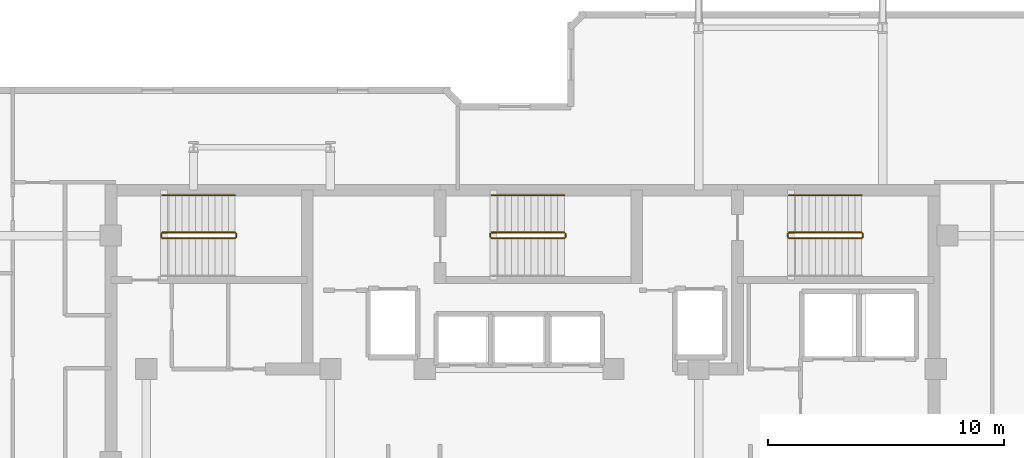
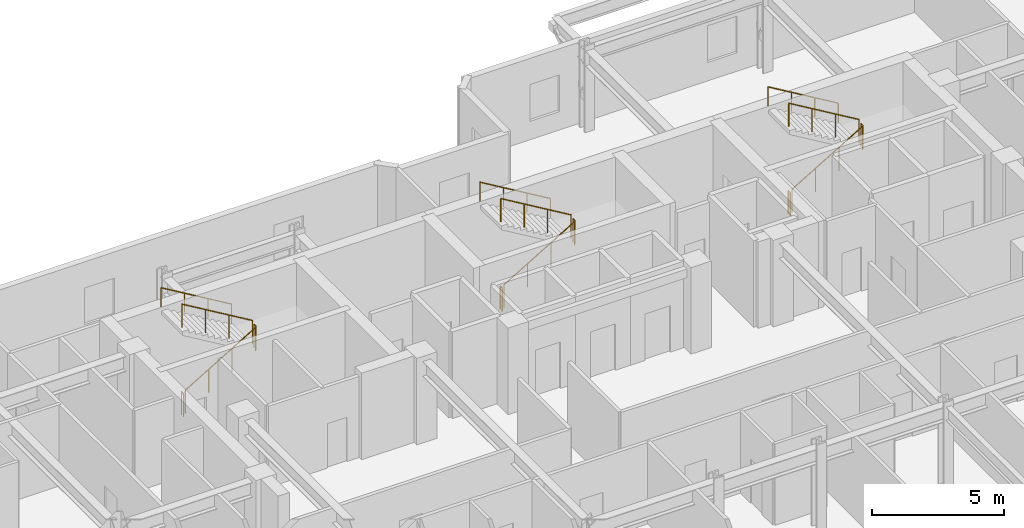
# One storey, part 10 of 10: 15 railings.
"""IFC4 building model written with IfcOpenShell, lengths in metres."""

from ifc_helpers import new_model, si_unit, direction, frame, origin, origin_2d, place, context, subcontext, project, spatial, circle, extrude, material, type_object, element, save


model = new_model("IFC4")

# Units and contexts
model_context = context("Model", 3, precision=1e-05, world=origin(), true_north=direction((0.0, 1.0)))
body_context = subcontext(model_context, "Body", "Model", "MODEL_VIEW")
ifc_project = project(units=[si_unit("LENGTHUNIT", "METRE"), si_unit("AREAUNIT", "SQUARE_METRE"), si_unit("VOLUMEUNIT", "CUBIC_METRE"), si_unit("PLANEANGLEUNIT", "RADIAN"), si_unit("MASSUNIT", "GRAM", prefix="KILO")], contexts=[model_context])

# Site, building, storey
site_placement = place(None, origin())
site = spatial("IfcSite", under=ifc_project, at=site_placement, CompositionType="ELEMENT")
building_placement = place(site_placement, origin())
building = spatial("IfcBuilding", under=site, at=building_placement, Name="Kestravale Grand Hotel", CompositionType="ELEMENT")
storey_placement = place(building_placement, frame((0.0, 0.0, 253.39990234375)))
storey = spatial("IfcBuildingStorey", under=building, at=storey_placement, Name="L63", CompositionType="ELEMENT", Elevation=253.39990234375)

# Railings
ifc_material_1 = material(Name="Painted tubular steel stair well guard", Category="steel")
railing_type_1 = type_object("IfcRailingType", Name="RL-ST-GRD1100", PredefinedType="GUARDRAIL", material=ifc_material_1)
railing_1_placement = place(storey_placement, frame((24.080078125, 38.280029296875, 0.166748046875)))
element("IfcRailing", 1, at=railing_1_placement, inside=storey, type_object=railing_type_1, Name="L63 ST-1 stair guard 1", PredefinedType="GUARDRAIL", context=body_context, shape_type="SweptSolid", body=[
    extrude(circle(Radius=0.02392578125, at=origin_2d()), frame((0.0, 0.0, 1.076171875), z_axis=(0.859290745958, 0.0, 0.51148745235), x_axis=(0.0, 1.0, 0.0)), (0.0, 0.0, 1.0), 3.584228515625),
    extrude(circle(Radius=0.02099609375, at=origin_2d()), origin(), (0.0, 0.0, 1.0), 1.052001953125),
    extrude(circle(Radius=0.02099609375, at=origin_2d()), frame((1.026611328125, 0.0, 0.611083984375)), (0.0, 0.0, 1.0), 1.052001953125),
    extrude(circle(Radius=0.02099609375, at=origin_2d()), frame((2.05322265625, 0.0, 1.22216796875)), (0.0, 0.0, 1.0), 1.052001953125),
    extrude(circle(Radius=0.02099609375, at=origin_2d()), frame((3.079833984375, 0.0, 1.833251953125)), (0.0, 0.0, 1.0), 1.052001953125),
])
railing_2_placement = place(storey_placement, frame((27.2099609375, 38.330078125, 2.0)))
element("IfcRailing", 2, at=railing_2_placement, inside=storey, type_object=railing_type_1, Name="L63 ST-1 stair guard 2", PredefinedType="GUARDRAIL", context=body_context, shape_type="SweptSolid", body=[
    extrude(circle(Radius=0.02392578125, at=origin_2d()), frame((0.0, 0.0, 1.076171875), z_axis=(0.0, 1.0, 0.0), x_axis=(-1.0, 0.0, 0.0)), (0.0, 0.0, 1.0), 0.14990234375),
    extrude(circle(Radius=0.02099609375, at=origin_2d()), origin(), (0.0, 0.0, 1.0), 1.052001953125),
    extrude(circle(Radius=0.02099609375, at=origin_2d()), frame((0.0, 0.14990234375, 0.0)), (0.0, 0.0, 1.0), 1.052001953125),
])
railing_3_placement = place(storey_placement, frame((27.159912109375, 38.530029296875, 2.166748046875)))
element("IfcRailing", 3, at=railing_3_placement, inside=storey, type_object=railing_type_1, Name="L63 ST-1 stair guard 3", PredefinedType="GUARDRAIL", context=body_context, shape_type="SweptSolid", body=[
    extrude(circle(Radius=0.02392578125, at=origin_2d()), frame((0.0, 0.0, 1.076171875), z_axis=(-0.859290745958, 0.0, 0.51148745235), x_axis=(0.0, -1.0, 0.0)), (0.0, 0.0, 1.0), 3.584228515625),
    extrude(circle(Radius=0.02099609375, at=origin_2d()), origin(), (0.0, 0.0, 1.0), 1.052001953125),
    extrude(circle(Radius=0.02099609375, at=origin_2d()), frame((-1.026611328125, 0.0, 0.611083984375)), (0.0, 0.0, 1.0), 1.052001953125),
    extrude(circle(Radius=0.02099609375, at=origin_2d()), frame((-2.05322265625, 0.0, 1.22216796875)), (0.0, 0.0, 1.0), 1.052001953125),
    extrude(circle(Radius=0.02099609375, at=origin_2d()), frame((-3.079833984375, 0.0, 1.833251953125)), (0.0, 0.0, 1.0), 1.052001953125),
])
railing_4_placement = place(storey_placement, frame((24.030029296875, 38.330078125, 0.0)))
element("IfcRailing", 4, at=railing_4_placement, inside=storey, type_object=railing_type_1, Name="L63 ST-1 stair guard 4", PredefinedType="GUARDRAIL", context=body_context, shape_type="SweptSolid", body=[
    extrude(circle(Radius=0.02392578125, at=origin_2d()), frame((0.0, 0.0, 1.076171875), z_axis=(0.0, 1.0, 0.0), x_axis=(-1.0, 0.0, 0.0)), (0.0, 0.0, 1.0), 0.14990234375),
    extrude(circle(Radius=0.02099609375, at=origin_2d()), origin(), (0.0, 0.0, 1.0), 1.052001953125),
    extrude(circle(Radius=0.02099609375, at=origin_2d()), frame((0.0, 0.14990234375, 0.0)), (0.0, 0.0, 1.0), 1.052001953125),
])
railing_5_placement = place(storey_placement, frame((38.030029296875, 38.280029296875, 0.166748046875)))
element("IfcRailing", 5, at=railing_5_placement, inside=storey, type_object=railing_type_1, Name="L63 ST-2 stair guard 1", PredefinedType="GUARDRAIL", context=body_context, shape_type="SweptSolid", body=[
    extrude(circle(Radius=0.02392578125, at=origin_2d()), frame((0.0, 0.0, 1.076171875), z_axis=(0.859308565015, 0.0, 0.511457515432), x_axis=(0.0, 1.0, 0.0)), (0.0, 0.0, 1.0), 3.58447265625),
    extrude(circle(Radius=0.02099609375, at=origin_2d()), origin(), (0.0, 0.0, 1.0), 1.052001953125),
    extrude(circle(Radius=0.02099609375, at=origin_2d()), frame((1.026611328125, 0.0, 0.611083984375)), (0.0, 0.0, 1.0), 1.052001953125),
    extrude(circle(Radius=0.02099609375, at=origin_2d()), frame((2.053466796875, 0.0, 1.22216796875)), (0.0, 0.0, 1.0), 1.052001953125),
    extrude(circle(Radius=0.02099609375, at=origin_2d()), frame((3.080078125, 0.0, 1.833251953125)), (0.0, 0.0, 1.0), 1.052001953125),
])
railing_6_placement = place(storey_placement, frame((41.159912109375, 38.330078125, 2.0)))
element("IfcRailing", 6, at=railing_6_placement, inside=storey, type_object=railing_type_1, Name="L63 ST-2 stair guard 2", PredefinedType="GUARDRAIL", context=body_context, shape_type="SweptSolid", body=[
    extrude(circle(Radius=0.02392578125, at=origin_2d()), frame((0.0, 0.0, 1.076171875), z_axis=(0.0, 1.0, 0.0), x_axis=(-1.0, 0.0, 0.0)), (0.0, 0.0, 1.0), 0.14990234375),
    extrude(circle(Radius=0.02099609375, at=origin_2d()), origin(), (0.0, 0.0, 1.0), 1.052001953125),
    extrude(circle(Radius=0.02099609375, at=origin_2d()), frame((0.0, 0.14990234375, 0.0)), (0.0, 0.0, 1.0), 1.052001953125),
])
railing_7_placement = place(storey_placement, frame((41.110107421875, 38.530029296875, 2.166748046875)))
element("IfcRailing", 7, at=railing_7_placement, inside=storey, type_object=railing_type_1, Name="L63 ST-2 stair guard 3", PredefinedType="GUARDRAIL", context=body_context, shape_type="SweptSolid", body=[
    extrude(circle(Radius=0.02392578125, at=origin_2d()), frame((0.0, 0.0, 1.076171875), z_axis=(-0.859308565015, 0.0, 0.511457515432), x_axis=(0.0, -1.0, 0.0)), (0.0, 0.0, 1.0), 3.58447265625),
    extrude(circle(Radius=0.02099609375, at=origin_2d()), origin(), (0.0, 0.0, 1.0), 1.052001953125),
    extrude(circle(Radius=0.02099609375, at=origin_2d()), frame((-1.026611328125, 0.0, 0.611083984375)), (0.0, 0.0, 1.0), 1.052001953125),
    extrude(circle(Radius=0.02099609375, at=origin_2d()), frame((-2.053466796875, 0.0, 1.22216796875)), (0.0, 0.0, 1.0), 1.052001953125),
    extrude(circle(Radius=0.02099609375, at=origin_2d()), frame((-3.080078125, 0.0, 1.833251953125)), (0.0, 0.0, 1.0), 1.052001953125),
])
railing_8_placement = place(storey_placement, frame((37.97998046875, 38.330078125, 0.0)))
element("IfcRailing", 8, at=railing_8_placement, inside=storey, type_object=railing_type_1, Name="L63 ST-2 stair guard 4", PredefinedType="GUARDRAIL", context=body_context, shape_type="SweptSolid", body=[
    extrude(circle(Radius=0.02392578125, at=origin_2d()), frame((0.0, 0.0, 1.076171875), z_axis=(0.0, 1.0, 0.0), x_axis=(-1.0, 0.0, 0.0)), (0.0, 0.0, 1.0), 0.14990234375),
    extrude(circle(Radius=0.02099609375, at=origin_2d()), origin(), (0.0, 0.0, 1.0), 1.052001953125),
    extrude(circle(Radius=0.02099609375, at=origin_2d()), frame((0.0, 0.14990234375, 0.0)), (0.0, 0.0, 1.0), 1.052001953125),
])
railing_9_placement = place(storey_placement, frame((50.6298828125, 38.280029296875, 0.166748046875)))
element("IfcRailing", 9, at=railing_9_placement, inside=storey, type_object=railing_type_1, Name="L63 ST-3 stair guard 1", PredefinedType="GUARDRAIL", context=body_context, shape_type="SweptSolid", body=[
    extrude(circle(Radius=0.02392578125, at=origin_2d()), frame((0.0, 0.0, 1.076171875), z_axis=(0.859308565015, 0.0, 0.511457515432), x_axis=(0.0, 1.0, 0.0)), (0.0, 0.0, 1.0), 3.58447265625),
    extrude(circle(Radius=0.02099609375, at=origin_2d()), origin(), (0.0, 0.0, 1.0), 1.052001953125),
    extrude(circle(Radius=0.02099609375, at=origin_2d()), frame((1.026611328125, 0.0, 0.611083984375)), (0.0, 0.0, 1.0), 1.052001953125),
    extrude(circle(Radius=0.02099609375, at=origin_2d()), frame((2.053466796875, 0.0, 1.22216796875)), (0.0, 0.0, 1.0), 1.052001953125),
    extrude(circle(Radius=0.02099609375, at=origin_2d()), frame((3.080078125, 0.0, 1.833251953125)), (0.0, 0.0, 1.0), 1.052001953125),
])
railing_10_placement = place(storey_placement, frame((53.760009765625, 38.330078125, 2.0)))
element("IfcRailing", 10, at=railing_10_placement, inside=storey, type_object=railing_type_1, Name="L63 ST-3 stair guard 2", PredefinedType="GUARDRAIL", context=body_context, shape_type="SweptSolid", body=[
    extrude(circle(Radius=0.02392578125, at=origin_2d()), frame((0.0, 0.0, 1.076171875), z_axis=(0.0, 1.0, 0.0), x_axis=(-1.0, 0.0, 0.0)), (0.0, 0.0, 1.0), 0.14990234375),
    extrude(circle(Radius=0.02099609375, at=origin_2d()), origin(), (0.0, 0.0, 1.0), 1.052001953125),
    extrude(circle(Radius=0.02099609375, at=origin_2d()), frame((0.0, 0.14990234375, 0.0)), (0.0, 0.0, 1.0), 1.052001953125),
])
railing_11_placement = place(storey_placement, frame((53.7099609375, 38.530029296875, 2.166748046875)))
element("IfcRailing", 11, at=railing_11_placement, inside=storey, type_object=railing_type_1, Name="L63 ST-3 stair guard 3", PredefinedType="GUARDRAIL", context=body_context, shape_type="SweptSolid", body=[
    extrude(circle(Radius=0.02392578125, at=origin_2d()), frame((0.0, 0.0, 1.076171875), z_axis=(-0.859308565015, 0.0, 0.511457515432), x_axis=(0.0, -1.0, 0.0)), (0.0, 0.0, 1.0), 3.58447265625),
    extrude(circle(Radius=0.02099609375, at=origin_2d()), origin(), (0.0, 0.0, 1.0), 1.052001953125),
    extrude(circle(Radius=0.02099609375, at=origin_2d()), frame((-1.026611328125, 0.0, 0.611083984375)), (0.0, 0.0, 1.0), 1.052001953125),
    extrude(circle(Radius=0.02099609375, at=origin_2d()), frame((-2.053466796875, 0.0, 1.22216796875)), (0.0, 0.0, 1.0), 1.052001953125),
    extrude(circle(Radius=0.02099609375, at=origin_2d()), frame((-3.080078125, 0.0, 1.833251953125)), (0.0, 0.0, 1.0), 1.052001953125),
])
railing_12_placement = place(storey_placement, frame((50.580078125, 38.330078125, 0.0)))
element("IfcRailing", 12, at=railing_12_placement, inside=storey, type_object=railing_type_1, Name="L63 ST-3 stair guard 4", PredefinedType="GUARDRAIL", context=body_context, shape_type="SweptSolid", body=[
    extrude(circle(Radius=0.02392578125, at=origin_2d()), frame((0.0, 0.0, 1.076171875), z_axis=(0.0, 1.0, 0.0), x_axis=(-1.0, 0.0, 0.0)), (0.0, 0.0, 1.0), 0.14990234375),
    extrude(circle(Radius=0.02099609375, at=origin_2d()), origin(), (0.0, 0.0, 1.0), 1.052001953125),
    extrude(circle(Radius=0.02099609375, at=origin_2d()), frame((0.0, 0.14990234375, 0.0)), (0.0, 0.0, 1.0), 1.052001953125),
])
ifc_material_2 = material(Name="Brushed stainless steel wall handrail", Category="steel")
railing_type_2 = type_object("IfcRailingType", Name="RL-ST-HND900", PredefinedType="HANDRAIL", material=ifc_material_2)
railing_13_placement = place(storey_placement, frame((27.159912109375, 40.110107421875, 2.166748046875)))
element("IfcRailing", 13, at=railing_13_placement, inside=storey, type_object=railing_type_2, Name="L63 ST-1 stair handrail 2", PredefinedType="HANDRAIL", context=body_context, shape_type="SweptSolid", body=[
    extrude(circle(Radius=0.02392578125, at=origin_2d()), frame((0.0, 0.0, 0.8759765625), z_axis=(-0.859290745958, 0.0, 0.51148745235), x_axis=(0.0, -1.0, 0.0)), (0.0, 0.0, 1.0), 3.584228515625),
    extrude(circle(Radius=0.02099609375, at=origin_2d()), origin(), (0.0, 0.0, 1.0), 0.851806640625),
    extrude(circle(Radius=0.02099609375, at=origin_2d()), frame((-1.026611328125, 0.0, 0.611083984375)), (0.0, 0.0, 1.0), 0.851806640625),
    extrude(circle(Radius=0.02099609375, at=origin_2d()), frame((-2.05322265625, 0.0, 1.22216796875)), (0.0, 0.0, 1.0), 0.851806640625),
    extrude(circle(Radius=0.02099609375, at=origin_2d()), frame((-3.079833984375, 0.0, 1.833251953125)), (0.0, 0.0, 1.0), 0.851806640625),
])
for number, where, name in (
    (14, (41.110107421875, 40.110107421875, 2.166748046875), "L63 ST-2 stair handrail 2"),
    (15, (53.7099609375, 40.110107421875, 2.166748046875), "L63 ST-3 stair handrail 2"),
):
    element("IfcRailing", number, at=place(storey_placement, frame(where)), inside=storey, type_object=railing_type_2, Name=name, PredefinedType="HANDRAIL", context=body_context, shape_type="SweptSolid", body=[
        extrude(circle(Radius=0.02392578125, at=origin_2d()), frame((0.0, 0.0, 0.8759765625), z_axis=(-0.859308565015, 0.0, 0.511457515432), x_axis=(0.0, -1.0, 0.0)), (0.0, 0.0, 1.0), 3.58447265625),
        extrude(circle(Radius=0.02099609375, at=origin_2d()), origin(), (0.0, 0.0, 1.0), 0.851806640625),
        extrude(circle(Radius=0.02099609375, at=origin_2d()), frame((-1.026611328125, 0.0, 0.611083984375)), (0.0, 0.0, 1.0), 0.851806640625),
        extrude(circle(Radius=0.02099609375, at=origin_2d()), frame((-2.053466796875, 0.0, 1.22216796875)), (0.0, 0.0, 1.0), 0.851806640625),
        extrude(circle(Radius=0.02099609375, at=origin_2d()), frame((-3.080078125, 0.0, 1.833251953125)), (0.0, 0.0, 1.0), 0.851806640625),
    ])

save(model, "model.ifc")
